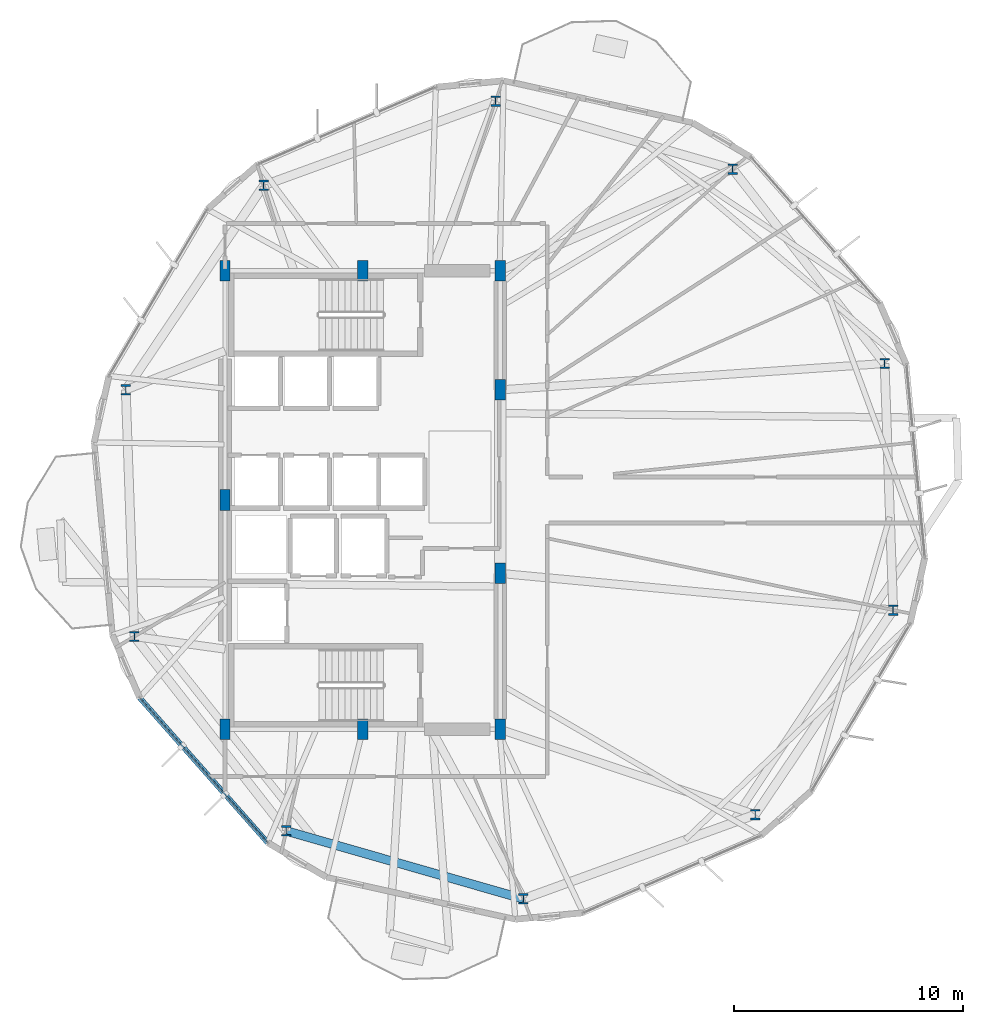
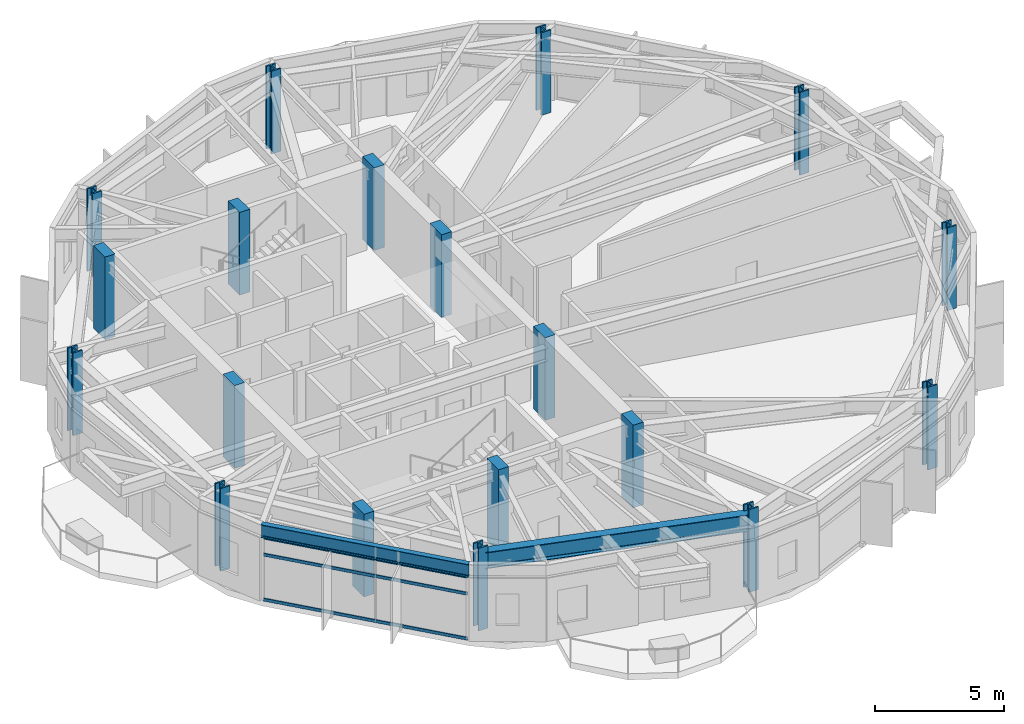
# One storey, part 1 of 23: 19 columns, 3 members, 2 beams, 1 element without a shape of its own.
"""IFC4 building model written with IfcOpenShell, lengths in metres."""

from ifc_helpers import new_model, si_unit, direction, frame, origin, origin_2d, place, context, subcontext, project, spatial, rectangle, hollow_rectangle, i_section, extrude, material, layer, layer_set, material_profile, profile_set, type_object, element, aggregate, save


model = new_model("IFC4")

# Units and contexts
model_context = context("Model", 3, precision=1e-05, world=origin(), true_north=direction((0.0, 1.0)))
body_context = subcontext(model_context, "Body", "Model", "MODEL_VIEW")
ifc_project = project(units=[si_unit("LENGTHUNIT", "METRE"), si_unit("AREAUNIT", "SQUARE_METRE"), si_unit("VOLUMEUNIT", "CUBIC_METRE"), si_unit("PLANEANGLEUNIT", "RADIAN"), si_unit("MASSUNIT", "GRAM", prefix="KILO")], contexts=[model_context])

# Site, building, storey
site_placement = place(None, origin())
site = spatial("IfcSite", under=ifc_project, at=site_placement, CompositionType="ELEMENT")
building_placement = place(site_placement, origin())
building = spatial("IfcBuilding", under=site, at=building_placement, Name="Soratama Intermodal Tower", CompositionType="ELEMENT")
storey_placement = place(building_placement, frame((0.0, 0.0, 118.60009765625)))
storey = spatial("IfcBuildingStorey", under=building, at=storey_placement, Name="L28", CompositionType="ELEMENT", Elevation=118.60009765625)

# Columns
ifc_material_1 = material(Name="Structural steel ASTM A992 Grade 50", Category="steel")
ifc_material_profile_1 = material_profile(ifc_material_1, i_section(OverallWidth=0.41796875, OverallDepth=0.455078125, WebThickness=0.0419921875, FlangeThickness=0.067626953125, FilletRadius=0.0380859375, at=origin_2d()), Name="W14X370")
ifc_profile_set_1 = profile_set([ifc_material_profile_1], Name="Structural steel ASTM A992 Grade 50")
column_type_1 = type_object("IfcColumnType", Name="COL-ZB-W14X370", PredefinedType="COLUMN", material=ifc_profile_set_1)
for number, where, z_axis, x_axis, name in (
    (1, (61.3505859375, 30.951171875, 0.0), (0.0, 0.0, 1.0), (1.0, 0.0, 0.0), "L28 Tower Ring Column R01"),
    (2, (54.72998046875, 39.42529296875, 0.0), (0.0, 0.0, 1.0), (1.0, 0.0, 0.0), "L28 Tower Ring Column R02"),
    (3, (44.392578125, 42.389404296875, 0.0), (0.0, 0.0, 1.0), (1.0, 0.0, 0.0), "L28 Tower Ring Column R03"),
    (4, (34.28759765625, 38.71142578125, 0.0), (0.0, 0.0, 1.0), (1.0, 0.0, 0.0), "L28 Tower Ring Column R04"),
    (5, (28.27392578125, 29.796142578125, 0.0), (0.0, 0.0, 1.0), (1.0, 0.0, 0.0), "L28 Tower Ring Column R05"),
    (6, (28.6494140625, 19.048828125, 0.0), (0.0, 0.0, 1.0), (1.0, 0.0, 0.0), "L28 Tower Ring Column R06"),
    (7, (35.27001953125, 10.57470703125, 0.0), (0.0, 0.0, 1.0), (1.0, 0.0, 0.0), "L28 Tower Ring Column R07"),
    (8, (45.607421875, 7.610595703125, 0.0), (0.0, 0.0, 1.0), (1.0, 0.0, 0.0), "L28 Tower Ring Column R08"),
    (9, (55.71240234375, 11.28857421875, 0.0), (0.0, 0.0, 1.0), (1.0, 0.0, 0.0), "L28 Tower Ring Column R09"),
    (10, (61.72607421875, 20.203857421875, 0.0), (0.0, 0.0, 1.0), (1.0, 0.0, 0.0), "L28 Tower Ring Column R10"),
):
    element("IfcColumn", number, at=place(storey_placement, frame(where, z_axis=z_axis, x_axis=x_axis)), inside=storey, type_object=column_type_1, Name=name, PredefinedType="COLUMN", context=body_context, shape_type="SweptSolid", body=[
        extrude(i_section(OverallWidth=0.41796875, OverallDepth=0.455078125, WebThickness=0.0419921875, FlangeThickness=0.067626953125, FilletRadius=0.0380859375, at=origin_2d()), origin(), (0.0, 0.0, 1.0), 3.89990234375),
    ])
ifc_material_2 = material(Name="Concrete f'c 56 MPa", Category="concrete")
ifc_material_profile_2 = material_profile(ifc_material_2, rectangle(XDim=0.449951171875, YDim=0.89990234375, at=origin_2d()), Name="RC450X900")
ifc_profile_set_2 = profile_set([ifc_material_profile_2], Name="Concrete f'c 56 MPa")
column_type_2 = type_object("IfcColumnType", Name="PIL-CORE-450X900", PredefinedType="PILASTER", material=ifc_profile_set_2)
for number, where, z_axis, x_axis, name in (
    (11, (32.60009765625, 15.0, 0.0), (0.0, 0.0, 1.0), (1.0, 0.0, 0.0), "L28 Core Pilaster 1"),
    (12, (32.60009765625, 25.0, 0.0), (0.0, 0.0, 1.0), (1.0, 0.0, 0.0), "L28 Core Pilaster 2"),
    (13, (32.60009765625, 35.0, 0.0), (0.0, 0.0, 1.0), (1.0, 0.0, 0.0), "L28 Core Pilaster 3"),
    (14, (38.60009765625, 15.0, 0.0), (0.0, 0.0, 1.0), (1.0, 0.0, 0.0), "L28 Core Pilaster 4"),
    (15, (38.60009765625, 35.0, 0.0), (0.0, 0.0, 1.0), (1.0, 0.0, 0.0), "L28 Core Pilaster 5"),
    (16, (44.60009765625, 15.0, 0.0), (0.0, 0.0, 1.0), (1.0, 0.0, 0.0), "L28 Core Pilaster 6"),
    (17, (44.60009765625, 21.800048828125, 0.0), (0.0, 0.0, 1.0), (1.0, 0.0, 0.0), "L28 Core Pilaster 7"),
    (18, (44.60009765625, 29.800048828125, 0.0), (0.0, 0.0, 1.0), (1.0, 0.0, 0.0), "L28 Core Pilaster 8"),
    (19, (44.60009765625, 35.0, 0.0), (0.0, 0.0, 1.0), (1.0, 0.0, 0.0), "L28 Core Pilaster 9"),
):
    element("IfcColumn", number, at=place(storey_placement, frame(where, z_axis=z_axis, x_axis=x_axis)), inside=storey, type_object=column_type_2, Name=name, PredefinedType="PILASTER", context=body_context, shape_type="SweptSolid", body=[
        extrude(rectangle(XDim=0.449951171875, YDim=0.89990234375, at=origin_2d()), origin(), (0.0, 0.0, 1.0), 3.89990234375),
    ])

# Beams
ifc_material_3 = material(Name="Structural steel ASTM A992 Grade 50", Category="steel")
ifc_material_profile_3 = material_profile(ifc_material_3, i_section(OverallWidth=0.382080078125, OverallDepth=0.779052734375, WebThickness=0.01806640625, FlangeThickness=0.030029296875, FilletRadius=0.01806640625, at=origin_2d()), Name="W30X191")
ifc_profile_set_3 = profile_set([ifc_material_profile_3], Name="Structural steel ASTM A992 Grade 50")
beam_type_1 = type_object("IfcBeamType", Name="BM-RING-W30X191", PredefinedType="BEAM", material=ifc_profile_set_3)
beam_1_placement = place(storey_placement, frame((35.27001953125, 10.574951171875, 3.21044921875), z_axis=(0.961266505995, -0.275620580604, 0.0), x_axis=(0.275620580604, 0.961266505995, 0.0)))
element("IfcBeam", 20, at=beam_1_placement, inside=storey, type_object=beam_type_1, Name="BM-L28-RING-07", PredefinedType="BEAM", context=body_context, shape_type="SweptSolid", body=[
    extrude(i_section(OverallWidth=0.382080078125, OverallDepth=0.779052734375, WebThickness=0.01806640625, FlangeThickness=0.030029296875, FilletRadius=0.01806640625, at=origin_2d()), origin(), (0.0, 0.0, 1.0), 10.75341796875),
])
ifc_material_4 = material(Name="Structural steel ASTM A992 Grade 50", Category="steel")
ifc_material_profile_4 = material_profile(ifc_material_4, i_section(OverallWidth=0.22900390625, OverallDepth=0.612060546875, WebThickness=0.011962890625, FlangeThickness=0.01953125, FilletRadius=0.012939453125, at=origin_2d()), Name="W24X84")
ifc_profile_set_4 = profile_set([ifc_material_profile_4], Name="Structural steel ASTM A992 Grade 50")
beam_type_2 = type_object("IfcBeamType", Name="BM-SPN-W24X84", PredefinedType="SPANDREL", material=ifc_profile_set_4)
beam_2_placement = place(storey_placement, frame((28.873046875, 16.384033203125, 3.2939453125), z_axis=(0.6620988404, -0.749416523397, 0.0), x_axis=(0.749416523397, 0.6620988404, 0.0)))
element("IfcBeam", 21, at=beam_2_placement, inside=storey, type_object=beam_type_2, Name="BS-L28-F06", PredefinedType="SPANDREL", context=body_context, shape_type="SweptSolid", body=[
    extrude(i_section(OverallWidth=0.22900390625, OverallDepth=0.612060546875, WebThickness=0.011962890625, FlangeThickness=0.01953125, FilletRadius=0.012939453125, at=origin_2d()), origin(), (0.0, 0.0, 1.0), 8.441162109375),
])

# Curtain wall, members
ifc_material_5 = material(Name="Double-glazed aluminium curtain wall", Category="aluminium")
ifc_layer = layer(ifc_material_5, 0.159912109375)
ifc_layer_set = layer_set([ifc_layer], Name="Double-glazed aluminium curtain wall")
curtain_wall_type = type_object("IfcCurtainWallType", Name="CW-SYS-3", PredefinedType="NOTDEFINED", material=ifc_layer_set)
curtain_wall_placement = place(storey_placement, origin())
curtain_wall = element("IfcCurtainWall", 22, at=curtain_wall_placement, inside=storey, type_object=curtain_wall_type, Name="L28 Faceted Curtain Wall F06", PredefinedType="NOTDEFINED")
ifc_material_6 = material(Name="Anodised aluminium AA 6063-T6", Category="aluminium")
ifc_material_profile_5 = material_profile(ifc_material_6, hollow_rectangle(XDim=0.06494140625, YDim=0.14990234375, WallThickness=0.0048828125, InnerFilletRadius=0.0048828125, OuterFilletRadius=0.010009765625, at=origin_2d()), Name="CWT150X65X5")
ifc_profile_set_5 = profile_set([ifc_material_profile_5], Name="Anodised aluminium AA 6063-T6")
member_type = type_object("IfcMemberType", Name="TT-CWT-1", PredefinedType="USERDEFINED", material=ifc_profile_set_5)
member_1_placement = place(storey_placement, frame((28.913330078125, 16.339599609375, 0.02978515625), z_axis=(0.66208630567, -0.749427597467, 0.0), x_axis=(0.749427597467, 0.66208630567, 0.0)))
member_1 = element("IfcMember", 23, at=member_1_placement, type_object=member_type, Name="CW-3 transom 1.1", ObjectType="TRANSOM", PredefinedType="USERDEFINED", context=body_context, shape_type="SweptSolid", body=[
    extrude(hollow_rectangle(XDim=0.06494140625, YDim=0.14990234375, WallThickness=0.0048828125, InnerFilletRadius=0.0048828125, OuterFilletRadius=0.010009765625, at=origin_2d()), origin(), (0.0, 0.0, 1.0), 8.321533203125),
])
member_2_placement = place(storey_placement, frame((28.913330078125, 16.339599609375, 2.14990234375), z_axis=(0.66208630567, -0.749427597467, 0.0), x_axis=(0.749427597467, 0.66208630567, 0.0)))
member_2 = element("IfcMember", 24, at=member_2_placement, type_object=member_type, Name="CW-3 transom 1.2", ObjectType="TRANSOM", PredefinedType="USERDEFINED", context=body_context, shape_type="SweptSolid", body=[
    extrude(hollow_rectangle(XDim=0.06494140625, YDim=0.14990234375, WallThickness=0.0048828125, InnerFilletRadius=0.0048828125, OuterFilletRadius=0.010009765625, at=origin_2d()), origin(), (0.0, 0.0, 1.0), 8.321533203125),
])
member_3_placement = place(storey_placement, frame((28.913330078125, 16.339599609375, 2.948974609375), z_axis=(0.66208630567, -0.749427597467, 0.0), x_axis=(0.749427597467, 0.66208630567, 0.0)))
member_3 = element("IfcMember", 25, at=member_3_placement, type_object=member_type, Name="CW-3 transom 1.3", ObjectType="TRANSOM", PredefinedType="USERDEFINED", context=body_context, shape_type="SweptSolid", body=[
    extrude(hollow_rectangle(XDim=0.06494140625, YDim=0.14990234375, WallThickness=0.0048828125, InnerFilletRadius=0.0048828125, OuterFilletRadius=0.010009765625, at=origin_2d()), origin(), (0.0, 0.0, 1.0), 8.321533203125),
])
aggregate(curtain_wall, [member_1, member_2, member_3])

save(model, "model.ifc")
